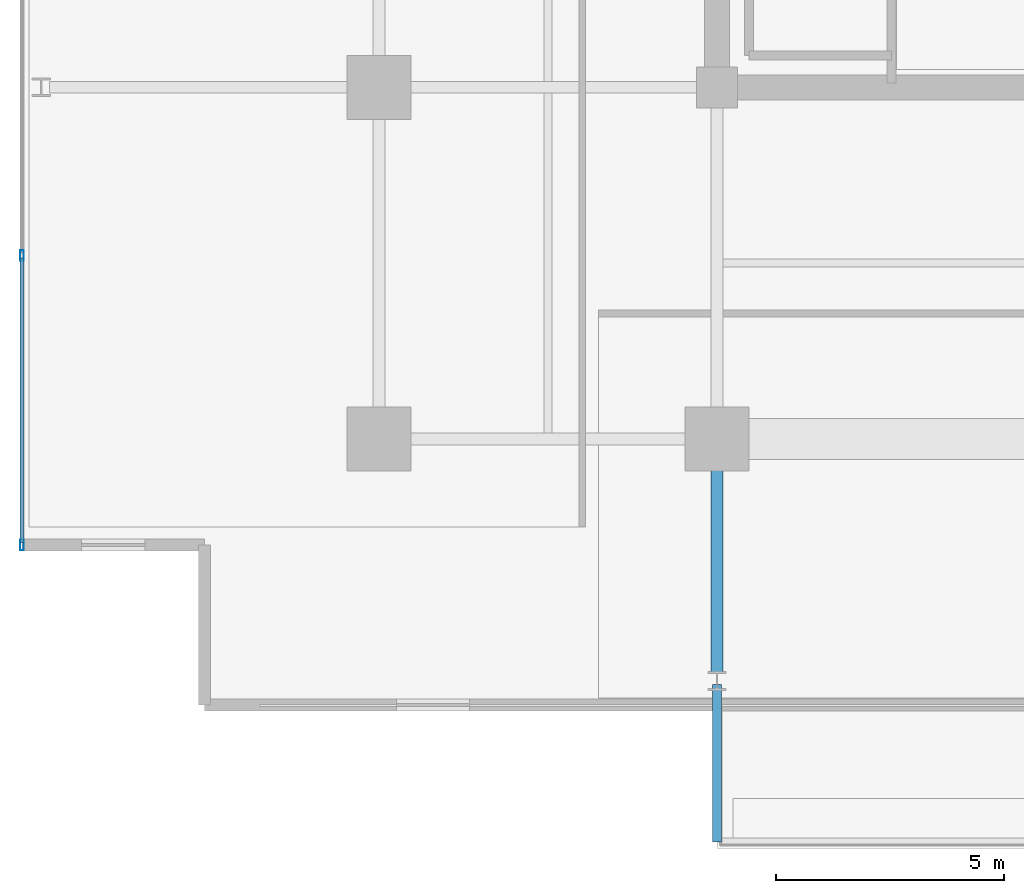
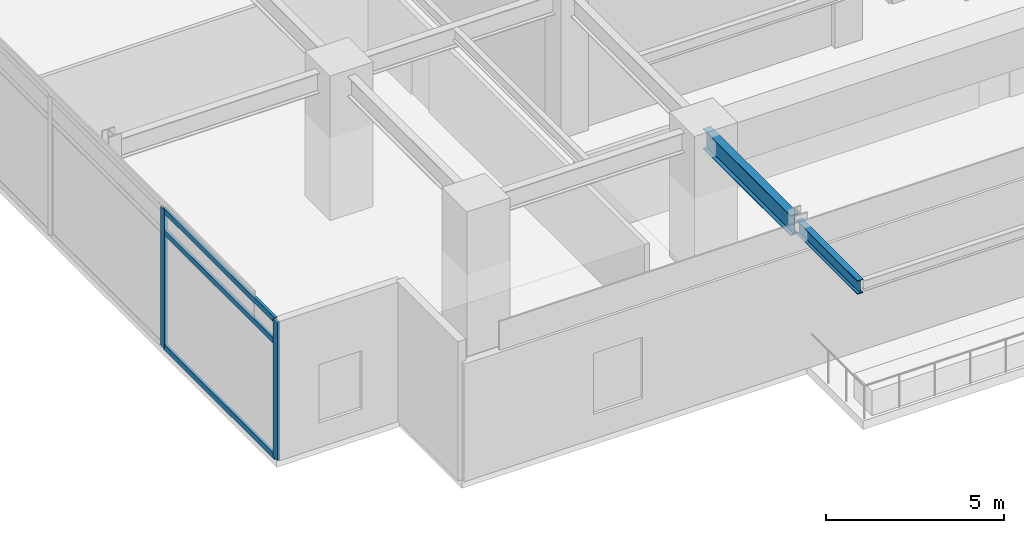
# One storey, part 2 of 21: 5 members, 2 beams, 1 element without a shape of its own.
"""IFC4 building model written with IfcOpenShell, lengths in metres."""

from ifc_helpers import new_model, si_unit, direction, frame, origin, origin_2d, place, context, subcontext, project, spatial, hollow_rectangle, i_section, extrude, material, material_profile, profile_set, type_object, element, aggregate, save


model = new_model("IFC4")

# Units and contexts
model_context = context("Model", 3, precision=1e-05, world=origin(), true_north=direction((0.0, 1.0)))
body_context = subcontext(model_context, "Body", "Model", "MODEL_VIEW")
ifc_project = project(units=[si_unit("LENGTHUNIT", "METRE"), si_unit("AREAUNIT", "SQUARE_METRE"), si_unit("VOLUMEUNIT", "CUBIC_METRE"), si_unit("PLANEANGLEUNIT", "RADIAN"), si_unit("MASSUNIT", "GRAM", prefix="KILO")], contexts=[model_context])

# Site, building, storey
site_placement = place(None, origin())
site = spatial("IfcSite", under=ifc_project, at=site_placement, CompositionType="ELEMENT")
building_placement = place(site_placement, origin())
building = spatial("IfcBuilding", under=site, at=building_placement, Name="Kovane Verandah Tower", CompositionType="ELEMENT")
storey_placement = place(building_placement, frame((0.0, 0.0, 238.199951171875)))
storey = spatial("IfcBuildingStorey", under=building, at=storey_placement, Name="L55", CompositionType="ELEMENT", Elevation=238.199951171875)

# Beam
ifc_material_1 = material(Name="Steel S355", Category="steel")
ifc_material_profile_1 = material_profile(ifc_material_1, i_section(OverallWidth=0.255859375, OverallDepth=0.69287109375, WebThickness=0.014404296875, FlangeThickness=0.023681640625, FilletRadius=0.01513671875, at=origin_2d()), Name="UB686x254x170")
ifc_profile_set_1 = profile_set([ifc_material_profile_1], Name="Steel S355")
beam_type_1 = type_object("IfcBeamType", Name="BM-UB686x170", PredefinedType="BEAM", material=ifc_profile_set_1)
beam_1_placement = place(storey_placement, frame((29.0, 10.6201171875, 4.41357421875), z_axis=(0.0, -1.0, 0.0), x_axis=(1.0, 0.0, 0.0)))
element("IfcBeam", 1, at=beam_1_placement, inside=storey, type_object=beam_type_1, Name="L55 Primary Tower Girder G-VS1", PredefinedType="BEAM", context=body_context, shape_type="SweptSolid", body=[
    extrude(i_section(OverallWidth=0.255859375, OverallDepth=0.69287109375, WebThickness=0.014404296875, FlangeThickness=0.023681640625, FilletRadius=0.01513671875, at=origin_2d()), origin(), (0.0, 0.0, 1.0), 4.940185546875),
])

# Curtain wall, members
ifc_material_2 = material(Name="Champagne Anodised Aluminium Frame with Low-E Clear Laminated Glass", Category="aluminium")
curtain_wall_type = type_object("IfcCurtainWallType", Name="CW-SYS-03-MID", PredefinedType="NOTDEFINED", material=ifc_material_2)
curtain_wall_placement = place(storey_placement, origin())
curtain_wall = element("IfcCurtainWall", 2, at=curtain_wall_placement, inside=storey, type_object=curtain_wall_type, Name="L55 W Unitised Curtain Wall", PredefinedType="NOTDEFINED")
ifc_material_3 = material(Name="Champagne Anodised Aluminium 6063-T6", Category="aluminium")
ifc_material_profile_2 = material_profile(ifc_material_3, hollow_rectangle(XDim=0.0849609375, YDim=0.22998046875, WallThickness=0.00390625, at=origin_2d()), Name="AL85x230x4")
ifc_profile_set_2 = profile_set([ifc_material_profile_2], Name="Champagne Anodised Aluminium 6063-T6")
member_type_1 = type_object("IfcMemberType", Name="CW-MUL-85x230", PredefinedType="MULLION", material=ifc_profile_set_2)
member_1_placement = place(storey_placement, frame((13.779296875, 14.817626953125, 0.02001953125), z_axis=(0.0, 0.0, 1.0), x_axis=(-1.0, 0.0, 0.0)))
member_1 = element("IfcMember", 3, at=member_1_placement, type_object=member_type_1, Name="L55 W Unitised Curtain Wall Mullion 6", PredefinedType="MULLION", context=body_context, shape_type="SweptSolid", body=[
    extrude(hollow_rectangle(XDim=0.0849609375, YDim=0.22998046875, WallThickness=0.00390625, at=origin_2d()), origin(), (0.0, 0.0, 1.0), 4.7451171875),
])
member_2_placement = place(storey_placement, frame((13.779296875, 8.4765625, 0.02001953125), z_axis=(0.0, 0.0, 1.0), x_axis=(-1.0, 0.0, 0.0)))
member_2 = element("IfcMember", 4, at=member_2_placement, type_object=member_type_1, Name="L55 W Unitised Curtain Wall Mullion 7", PredefinedType="MULLION", context=body_context, shape_type="SweptSolid", body=[
    extrude(hollow_rectangle(XDim=0.0849609375, YDim=0.22998046875, WallThickness=0.00390625, at=origin_2d()), origin(), (0.0, 0.0, 1.0), 4.7451171875),
])
ifc_material_profile_3 = material_profile(ifc_material_3, hollow_rectangle(XDim=0.0849609375, YDim=0.18994140625, WallThickness=0.00390625, at=origin_2d()), Name="AL85x190x4")
ifc_profile_set_3 = profile_set([ifc_material_profile_3], Name="Champagne Anodised Aluminium 6063-T6")
member_type_2 = type_object("IfcMemberType", Name="CW-TRN-85x190", PredefinedType="USERDEFINED", material=ifc_profile_set_3)
member_3_placement = place(storey_placement, frame((13.779296875, 14.767578125, 0.050048828125), z_axis=(0.0, -1.0, 0.0), x_axis=(1.0, 0.0, 0.0)))
member_3 = element("IfcMember", 5, at=member_3_placement, type_object=member_type_2, Name="L55 W Unitised Curtain Wall Transom TB Bay 6", ObjectType="TRANSOM", PredefinedType="USERDEFINED", context=body_context, shape_type="SweptSolid", body=[
    extrude(hollow_rectangle(XDim=0.0849609375, YDim=0.18994140625, WallThickness=0.00390625, at=origin_2d()), origin(), (0.0, 0.0, 1.0), 6.240966796875),
])
member_4_placement = place(storey_placement, frame((13.779296875, 14.767578125, 4.005126953125), z_axis=(0.0, -1.0, 0.0), x_axis=(1.0, 0.0, 0.0)))
member_4 = element("IfcMember", 6, at=member_4_placement, type_object=member_type_2, Name="L55 W Unitised Curtain Wall Transom TM Bay 6", ObjectType="TRANSOM", PredefinedType="USERDEFINED", context=body_context, shape_type="SweptSolid", body=[
    extrude(hollow_rectangle(XDim=0.0849609375, YDim=0.18994140625, WallThickness=0.00390625, at=origin_2d()), origin(), (0.0, 0.0, 1.0), 6.240966796875),
])
member_5_placement = place(storey_placement, frame((13.779296875, 14.767578125, 4.735107421875), z_axis=(0.0, -1.0, 0.0), x_axis=(1.0, 0.0, 0.0)))
member_5 = element("IfcMember", 7, at=member_5_placement, type_object=member_type_2, Name="L55 W Unitised Curtain Wall Transom TT Bay 6", ObjectType="TRANSOM", PredefinedType="USERDEFINED", context=body_context, shape_type="SweptSolid", body=[
    extrude(hollow_rectangle(XDim=0.0849609375, YDim=0.18994140625, WallThickness=0.00390625, at=origin_2d()), origin(), (0.0, 0.0, 1.0), 6.240966796875),
])
aggregate(curtain_wall, [member_1, member_2, member_3, member_4, member_5])

# Beam
ifc_material_profile_4 = material_profile(ifc_material_1, i_section(OverallWidth=0.19287109375, OverallDepth=0.46728515625, WebThickness=0.011474609375, FlangeThickness=0.01953125, FilletRadius=0.01025390625, at=origin_2d()), Name="UB457x191x98")
ifc_profile_set_4 = profile_set([ifc_material_profile_4], Name="Steel S355")
beam_type_2 = type_object("IfcBeamType", Name="JST-UB457x98", PredefinedType="JOIST", material=ifc_profile_set_4)
beam_2_placement = place(storey_placement, frame((29.0, 5.419921875, 4.5263671875), z_axis=(0.0, -1.0, 0.0), x_axis=(1.0, 0.0, 0.0)))
element("IfcBeam", 8, at=beam_2_placement, inside=storey, type_object=beam_type_2, Name="L55 South Planter Girder 1", PredefinedType="JOIST", context=body_context, shape_type="SweptSolid", body=[
    extrude(i_section(OverallWidth=0.19287109375, OverallDepth=0.46728515625, WebThickness=0.011474609375, FlangeThickness=0.01953125, FilletRadius=0.01025390625, at=origin_2d()), origin(), (0.0, 0.0, 1.0), 3.449951171875),
])

save(model, "model.ifc")
